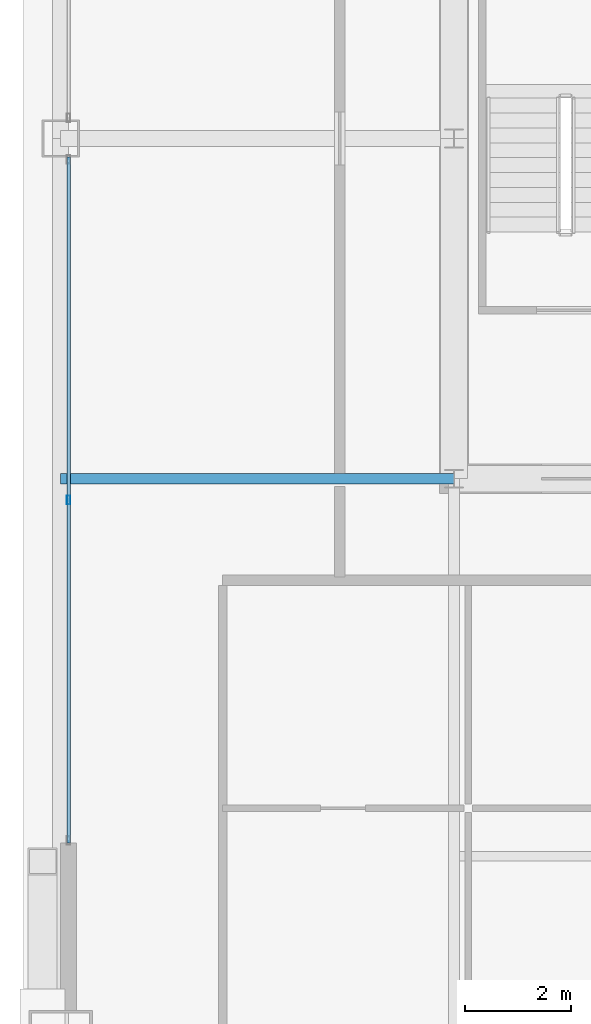
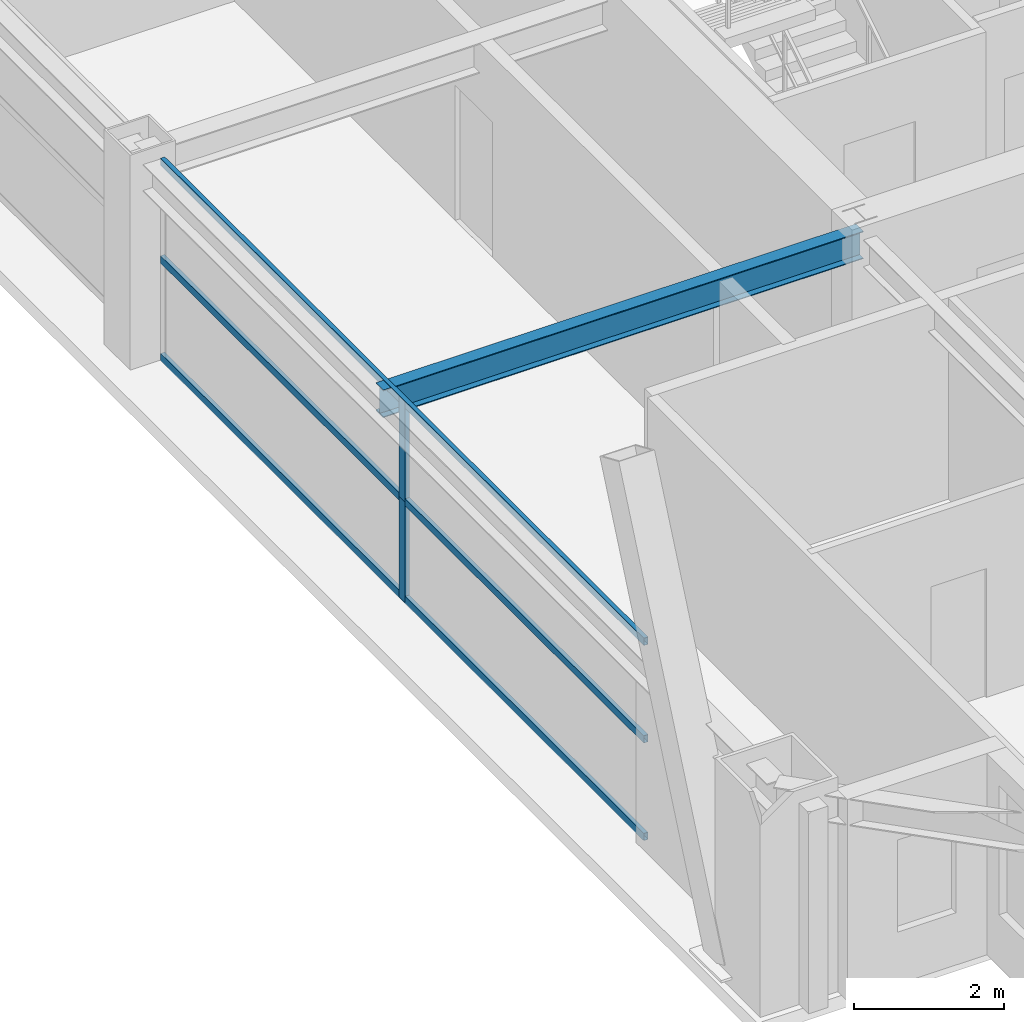
# One storey, part 9 of 37: 5 members, 1 beam, 1 element without a shape of its own.
"""IFC4 building model written with IfcOpenShell, lengths in metres."""

from ifc_helpers import new_model, si_unit, direction, frame, origin, origin_2d, place, context, subcontext, project, spatial, hollow_rectangle, i_section, extrude, source, transform, mapped, material, layer, layer_set, material_profile, profile_set, type_object, element, aggregate, save


model = new_model("IFC4")

# Units and contexts
model_context = context("Model", 3, precision=1e-05, world=origin(), true_north=direction((0.0, 1.0)))
body_context = subcontext(model_context, "Body", "Model", "MODEL_VIEW")
ifc_project = project(units=[si_unit("LENGTHUNIT", "METRE"), si_unit("AREAUNIT", "SQUARE_METRE"), si_unit("VOLUMEUNIT", "CUBIC_METRE"), si_unit("PLANEANGLEUNIT", "RADIAN"), si_unit("MASSUNIT", "GRAM", prefix="KILO"), si_unit("THERMODYNAMICTEMPERATUREUNIT", "KELVIN"), si_unit("POWERUNIT", "WATT")], contexts=[model_context])

# Site, building, storey
site_placement = place(None, origin())
site = spatial("IfcSite", under=ifc_project, at=site_placement, CompositionType="ELEMENT")
building_placement = place(site_placement, origin())
building = spatial("IfcBuilding", under=site, at=building_placement, Name="Yuzanri Waterfront Tower", CompositionType="ELEMENT")
storey_placement = place(building_placement, frame((0.0, 0.0, 278.60009765625)))
storey = spatial("IfcBuildingStorey", under=building, at=storey_placement, Name="L74", CompositionType="ELEMENT", Elevation=278.60009765625)

# Beam
ifc_material_1 = material(Name="Steel Q355B", Category="steel")
ifc_material_profile_1 = material_profile(ifc_material_1, i_section(OverallWidth=0.199951171875, OverallDepth=0.449951171875, WebThickness=0.009033203125, FlangeThickness=0.013916015625, at=origin_2d()), Name="HN 450x200x9x14")
ifc_profile_set_1 = profile_set([ifc_material_profile_1], Name="Steel Q355B")
beam_type = type_object("IfcBeamType", Name="Secondary Floor Beam Q355B HN 450x200", PredefinedType="BEAM", material=ifc_profile_set_1)
shared_shape_1 = source(origin(), body_context, "Body", "SweptSolid", [
    extrude(i_section(OverallWidth=0.199951171875, OverallDepth=0.449951171875, WebThickness=0.009033203125, FlangeThickness=0.013916015625, at=origin_2d()), origin(), (0.0, 0.0, 1.0), 7.400146484375),
])
beam_placement = place(storey_placement, frame((23.800048828125, 19.39990234375, 3.054931640625), z_axis=(-1.0, 0.0, 0.0), x_axis=(0.0, -1.0, 0.0)))
element("IfcBeam", 1, at=beam_placement, inside=storey, type_object=beam_type, Name="L74 West-South Core Line Beam", PredefinedType="BEAM", context=body_context, shape_type="MappedRepresentation", body=[
    mapped(shared_shape_1, transform((0.0, 0.0, 0.0), scale=1.0)),
])

# Curtain wall, members
ifc_material_2 = material(Name="Anodized Architectural Bronze", Category="metal")
ifc_layer = layer(ifc_material_2, 0.159912109375)
ifc_layer_set = layer_set([ifc_layer], Name="Anodized Architectural Bronze")
curtain_wall_type = type_object("IfcCurtainWallType", Name="Anodized Bronze Mid-Rise Residential Acoustic Unitized Curtain Wall 7200", PredefinedType="NOTDEFINED", material=ifc_layer_set)
curtain_wall_placement = place(storey_placement, origin())
curtain_wall = element("IfcCurtainWall", 2, at=curtain_wall_placement, inside=storey, type_object=curtain_wall_type, Name="L74 Curtain Wall CW-L74-WL", PredefinedType="NOTDEFINED")
ifc_material_3 = material(Name="Anodized Architectural Bronze", Category="metal")
ifc_material_profile_2 = material_profile(ifc_material_3, hollow_rectangle(XDim=0.06494140625, YDim=0.159912109375, WallThickness=0.00341796875, at=origin_2d()), Name="CWM 65x160")
ifc_profile_set_2 = profile_set([ifc_material_profile_2], Name="Anodized Architectural Bronze")
member_type_1 = type_object("IfcMemberType", Name="Anodized Bronze Upper-Zone Curtain-Wall Mullion 65x160", PredefinedType="MULLION", material=ifc_profile_set_2)
shared_shape_2 = source(origin(), body_context, "Body", "SweptSolid", [
    extrude(hollow_rectangle(XDim=0.06494140625, YDim=0.159912109375, WallThickness=0.00341796875, at=origin_2d()), origin(), (0.0, 0.0, 1.0), 1.637939453125),
])
member_1_placement = place(storey_placement, frame((16.550048828125, 19.0, 0.0), z_axis=(0.0, 0.0, 1.0), x_axis=(1.0, 0.0, 0.0)))
member_1 = element("IfcMember", 3, at=member_1_placement, type_object=member_type_1, Name="CW-L74-WL Lower Mullion 01", PredefinedType="MULLION", context=body_context, shape_type="MappedRepresentation", body=[
    mapped(shared_shape_2, transform((0.0, 0.0, 0.0), scale=1.0)),
])
member_2_placement = place(storey_placement, frame((16.550048828125, 19.0, 1.641845703125), z_axis=(0.0, 0.0, 1.0), x_axis=(1.0, 0.0, 0.0)))
member_2 = element("IfcMember", 4, at=member_2_placement, type_object=member_type_1, Name="CW-L74-WL Upper Mullion 01", PredefinedType="MULLION", context=body_context, shape_type="MappedRepresentation", body=[
    mapped(shared_shape_2, transform((0.0, 0.0, 0.0), scale=1.0)),
])
ifc_material_4 = material(Name="Anodized Architectural Bronze", Category="metal")
ifc_material_profile_3 = material_profile(ifc_material_4, hollow_rectangle(XDim=0.06494140625, YDim=0.1201171875, WallThickness=0.00341796875, at=origin_2d()), Name="CWT 65x120")
ifc_profile_set_3 = profile_set([ifc_material_profile_3], Name="Anodized Architectural Bronze")
member_type_2 = type_object("IfcMemberType", Name="Anodized Bronze Secondary Curtain-Wall Transom 65x120", PredefinedType="USERDEFINED", material=ifc_profile_set_3)
shared_shape_3 = source(origin(), body_context, "Body", "SweptSolid", [
    extrude(hollow_rectangle(XDim=0.06494140625, YDim=0.1201171875, WallThickness=0.00341796875, at=origin_2d()), origin(), (0.0, 0.0, 1.0), 12.89990234375),
])
member_3_placement = place(storey_placement, frame((16.550048828125, 12.550048828125, 0.0498046875), z_axis=(0.0, 1.0, 0.0), x_axis=(-1.0, 0.0, 0.0)))
member_3 = element("IfcMember", 5, at=member_3_placement, type_object=member_type_2, Name="CW-L74-WL Transom 1", ObjectType="TRANSOM", PredefinedType="USERDEFINED", context=body_context, shape_type="MappedRepresentation", body=[
    mapped(shared_shape_3, transform((0.0, 0.0, 0.0), scale=1.0)),
])
member_4_placement = place(storey_placement, frame((16.550048828125, 12.550048828125, 1.639892578125), z_axis=(0.0, 1.0, 0.0), x_axis=(-1.0, 0.0, 0.0)))
member_4 = element("IfcMember", 6, at=member_4_placement, type_object=member_type_2, Name="CW-L74-WL Transom 2", ObjectType="TRANSOM", PredefinedType="USERDEFINED", context=body_context, shape_type="MappedRepresentation", body=[
    mapped(shared_shape_3, transform((0.0, 0.0, 0.0), scale=1.0)),
])
member_5_placement = place(storey_placement, frame((16.550048828125, 12.550048828125, 3.22998046875), z_axis=(0.0, 1.0, 0.0), x_axis=(-1.0, 0.0, 0.0)))
member_5 = element("IfcMember", 7, at=member_5_placement, type_object=member_type_2, Name="CW-L74-WL Transom 3", ObjectType="TRANSOM", PredefinedType="USERDEFINED", context=body_context, shape_type="MappedRepresentation", body=[
    mapped(shared_shape_3, transform((0.0, 0.0, 0.0), scale=1.0)),
])
aggregate(curtain_wall, [member_1, member_2, member_3, member_4, member_5])

save(model, "model.ifc")
